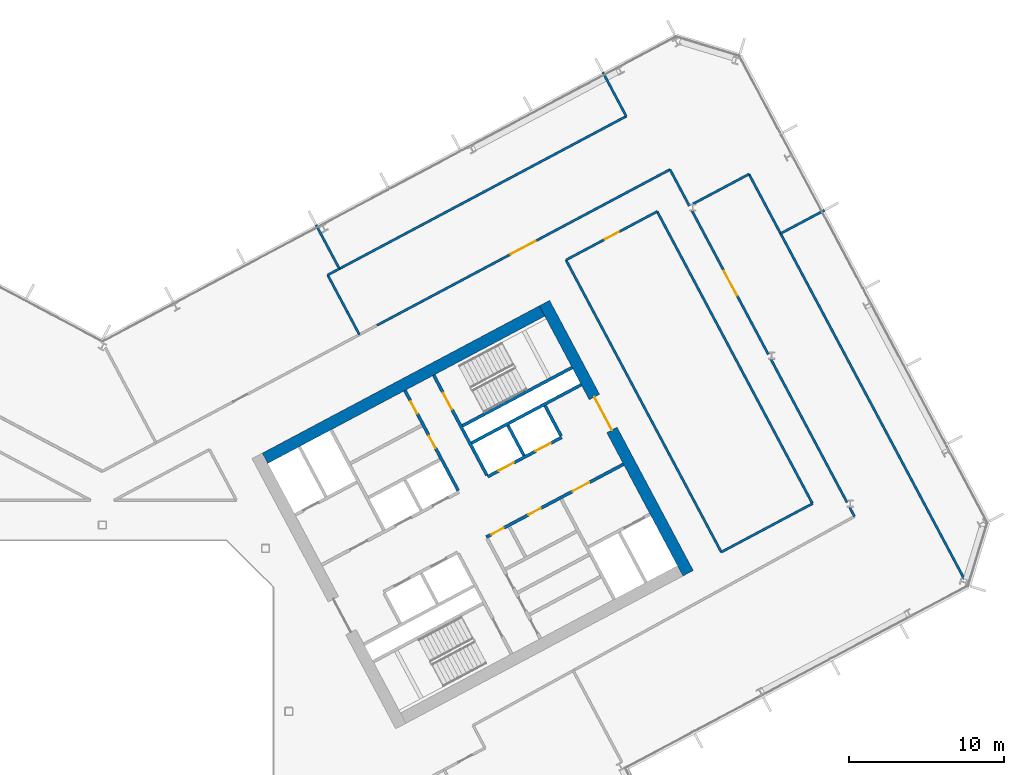
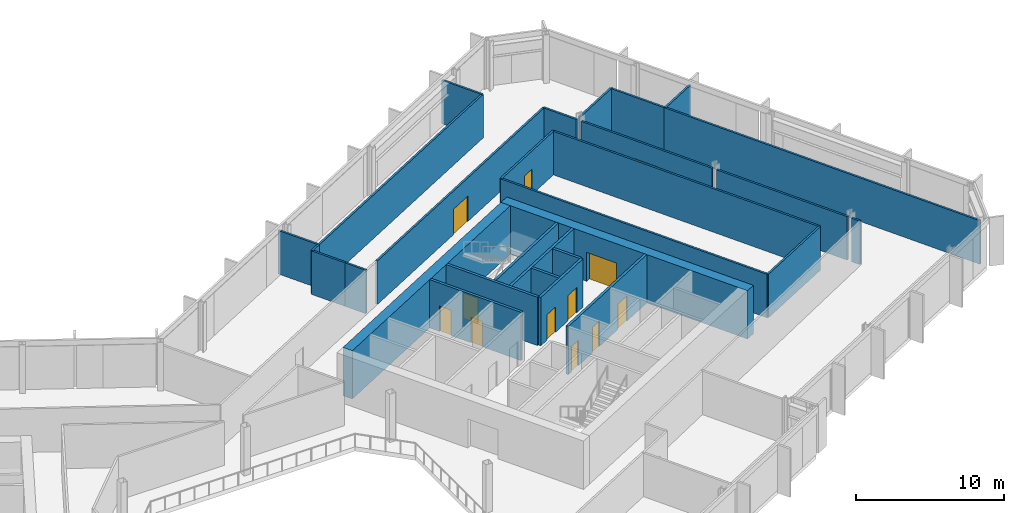
# One storey, part 17 of 28: 29 walls, 12 doors, 12 openings.
"""IFC4 building model written with IfcOpenShell, lengths in metres."""

from ifc_helpers import new_model, si_unit, direction, frame, frame_2d, origin, place, context, subcontext, project, spatial, rectangle, extrude, material, layer, layer_set, type_object, element, fill, save


model = new_model("IFC4")

# Units and contexts
model_context = context("Model", 3, precision=1e-05, world=origin(), true_north=direction((0.0, 1.0)))
body_context = subcontext(model_context, "Body", "Model", "MODEL_VIEW")
ifc_project = project(units=[si_unit("LENGTHUNIT", "METRE"), si_unit("AREAUNIT", "SQUARE_METRE"), si_unit("VOLUMEUNIT", "CUBIC_METRE"), si_unit("PLANEANGLEUNIT", "RADIAN"), si_unit("MASSUNIT", "GRAM", prefix="KILO")], contexts=[model_context])

# Site, building, storey
site_placement = place(None, origin())
site = spatial("IfcSite", under=ifc_project, at=site_placement, CompositionType="ELEMENT")
building_placement = place(site_placement, origin())
building = spatial("IfcBuilding", under=site, at=building_placement, Name="Cormorant Relay Tower", CompositionType="ELEMENT")
storey_placement = place(building_placement, frame((0.0, 0.0, 174.199951171875)))
storey = spatial("IfcBuildingStorey", under=building, at=storey_placement, Name="L37", CompositionType="ELEMENT", Elevation=174.199951171875)

# Wall
ifc_material_1 = material(Name="Concrete 40 MPa", Category="concrete")
ifc_layer_1 = layer(ifc_material_1, 0.199951171875)
ifc_layer_set_1 = layer_set([ifc_layer_1], Name="Core internal wall 200")
wall_type_1 = type_object("IfcWallType", Name="Core internal wall 200", PredefinedType="SOLIDWALL", material=ifc_layer_set_1)
wall_1_placement = place(storey_placement, frame((27.144287109375, 16.471435546875, 0.0), z_axis=(0.0, 0.0, 1.0), x_axis=(-0.469401318492, 0.882984938828, 0.0)))
element("IfcWall", 1, at=wall_1_placement, inside=storey, type_object=wall_type_1, Name="L37 core B shaft and room wall", PredefinedType="SOLIDWALL", context=body_context, shape_type="SweptSolid", body=[
    extrude(rectangle(XDim=2.199951171875, YDim=0.199951171875, at=frame_2d((1.10009765625, 0.0))), origin(), (0.0, 0.0, 1.0), 4.0),
])

# Wall, openings, doors
ifc_material_2 = material(Name="Concrete 50 MPa", Category="concrete")
ifc_layer_2 = layer(ifc_material_2, 0.199951171875)
ifc_layer_set_2 = layer_set([ifc_layer_2], Name="Core shaft wall 200")
wall_type_2 = type_object("IfcWallType", Name="Core shaft wall 200", PredefinedType="SHEAR", material=ifc_layer_set_2)
wall_2_placement = place(storey_placement, frame((22.90625, 14.218017578125, 0.0), z_axis=(0.0, 0.0, 1.0), x_axis=(-0.469480409012, 0.88294288918, 0.0)))
wall_2 = element("IfcWall", 2, at=wall_2_placement, inside=storey, type_object=wall_type_2, Name="L37 core B shaft wall", PredefinedType="SHEAR", context=body_context, shape_type="SweptSolid", body=[
    extrude(rectangle(XDim=7.300048828125, YDim=0.199951171875, at=frame_2d((3.64990234375, 0.0))), origin(), (0.0, 0.0, 1.0), 4.0),
])
opening_1_placement = place(wall_2_placement, frame((3.10009765625, 0.0, 0.0)))
opening_1 = element("IfcOpeningElement", 3, at=opening_1_placement, cuts=wall_2, Name="Opening CDD-215", PredefinedType="OPENING", context=body_context, shape_type="SweptSolid", body=[
    extrude(rectangle(XDim=0.89990234375, YDim=2.10009765625, at=frame_2d((0.449951171875, 1.050048828125))), frame((0.0, 0.10986328125, 0.0), z_axis=(0.0, -1.0, 0.0), x_axis=(1.0, 0.0, 0.0)), (0.0, 0.0, 1.0), 0.219970703125),
])
opening_2_placement = place(wall_2_placement, frame((5.60009765625, 0.0, 0.0)))
opening_2 = element("IfcOpeningElement", 4, at=opening_2_placement, cuts=wall_2, Name="Opening CDD-216", PredefinedType="OPENING", context=body_context, shape_type="SweptSolid", body=[
    extrude(rectangle(XDim=0.89990234375, YDim=2.10009765625, at=frame_2d((0.449951171875, 1.050048828125))), frame((0.0, 0.10986328125, 0.0), z_axis=(0.0, -1.0, 0.0), x_axis=(1.0, 0.0, 0.0)), (0.0, 0.0, 1.0), 0.219970703125),
])
ifc_material_3 = material(Name="Steel fire door", Category="steel")
door_type_1 = type_object("IfcDoorType", Name="Core room door 900x2100", OperationType="SINGLE_SWING_LEFT", PredefinedType="DOOR", material=ifc_material_3)
door_1_placement = place(opening_1_placement, origin())
door_1 = element("IfcDoor", 5, at=door_1_placement, inside=storey, type_object=door_type_1, Name="Core room door 900x2100", OperationType="SINGLE_SWING_RIGHT", OverallHeight=2.10009765625, OverallWidth=0.89990234375, PredefinedType="DOOR", context=body_context, shape_type="SweptSolid", body=[
    extrude(rectangle(XDim=0.89990234375, YDim=2.10009765625, at=frame_2d((0.449951171875, 1.050048828125))), frame((0.0, 0.02490234375, 0.0), z_axis=(0.0, -1.0, 0.0), x_axis=(1.0, 0.0, 0.0)), (0.0, 0.0, 1.0), 0.050048828125),
])
fill(opening_1, door_1)
door_2_placement = place(opening_2_placement, origin())
door_2 = element("IfcDoor", 6, at=door_2_placement, inside=storey, type_object=door_type_1, Name="Core room door 900x2100", OperationType="SINGLE_SWING_LEFT", OverallHeight=2.10009765625, OverallWidth=0.89990234375, PredefinedType="DOOR", context=body_context, shape_type="SweptSolid", body=[
    extrude(rectangle(XDim=0.89990234375, YDim=2.10009765625, at=frame_2d((0.449951171875, 1.050048828125))), frame((0.0, 0.02490234375, 0.0), z_axis=(0.0, -1.0, 0.0), x_axis=(1.0, 0.0, 0.0)), (0.0, 0.0, 1.0), 0.050048828125),
])
fill(opening_2, door_2)

# Wall, opening, door
wall_3_placement = place(storey_placement, frame((24.760498046875, 15.2041015625, 0.0), z_axis=(0.0, 0.0, 1.0), x_axis=(-0.469494272526, 0.882935517501, 0.0)))
wall_3 = element("IfcWall", 7, at=wall_3_placement, inside=storey, type_object=wall_type_2, Name="L37 core B shaft wall", PredefinedType="SHEAR", context=body_context, shape_type="SweptSolid", body=[
    extrude(rectangle(XDim=7.2998046875, YDim=0.199951171875, at=frame_2d((3.64990234375, 0.0))), origin(), (0.0, 0.0, 1.0), 4.0),
])
opening_3_placement = place(wall_3_placement, frame((4.800048828125, 0.0, 0.0)))
opening_3 = element("IfcOpeningElement", 8, at=opening_3_placement, cuts=wall_3, Name="Opening CDB-037", PredefinedType="OPENING", context=body_context, shape_type="SweptSolid", body=[
    extrude(rectangle(XDim=1.199951171875, YDim=2.10009765625, at=frame_2d((0.60009765625, 1.050048828125))), frame((0.0, 0.10986328125, 0.0), z_axis=(0.0, -1.0, 0.0), x_axis=(1.0, 0.0, 0.0)), (0.0, 0.0, 1.0), 0.219970703125),
])
ifc_material_4 = material(Name="Steel fire door", Category="steel")
door_type_2 = type_object("IfcDoorType", Name="Core stair door 1200x2100", OperationType="SINGLE_SWING_LEFT", PredefinedType="DOOR", material=ifc_material_4)
door_3_placement = place(opening_3_placement, frame((1.199951171875, 0.0, 0.0), z_axis=(0.0, 0.0, 1.0), x_axis=(-1.0, 0.0, 0.0)))
door_3 = element("IfcDoor", 9, at=door_3_placement, inside=storey, type_object=door_type_2, Name="Core stair door 1200x2100", OperationType="SINGLE_SWING_RIGHT", OverallHeight=2.10009765625, OverallWidth=1.199951171875, PredefinedType="DOOR", context=body_context, shape_type="SweptSolid", body=[
    extrude(rectangle(XDim=1.199951171875, YDim=2.10009765625, at=frame_2d((0.60009765625, 1.050048828125))), frame((0.0, 0.02490234375, 0.0), z_axis=(0.0, -1.0, 0.0), x_axis=(1.0, 0.0, 0.0)), (0.0, 0.0, 1.0), 0.050048828125),
])
fill(opening_3, door_3)

# Wall
wall_4_placement = place(storey_placement, frame((29.5283203125, 17.739013671875, 0.0), z_axis=(0.0, 0.0, 1.0), x_axis=(-0.469401318492, 0.882984938828, 0.0)))
element("IfcWall", 10, at=wall_4_placement, inside=storey, type_object=wall_type_2, Name="L37 core B shaft wall", PredefinedType="SHEAR", context=body_context, shape_type="SweptSolid", body=[
    extrude(rectangle(XDim=2.199951171875, YDim=0.199951171875, at=frame_2d((1.10009765625, 0.0))), origin(), (0.0, 0.0, 1.0), 4.0),
])

# Wall, openings, doors
wall_5_placement = place(storey_placement, frame((24.72607421875, 11.2216796875, 0.0), z_axis=(0.0, 0.0, 1.0), x_axis=(0.882940221191, 0.469485426614, 0.0)))
wall_5 = element("IfcWall", 11, at=wall_5_placement, inside=storey, type_object=wall_type_2, Name="L37 core B shaft wall", PredefinedType="SHEAR", context=body_context, shape_type="SweptSolid", body=[
    extrude(rectangle(XDim=10.0, YDim=0.199951171875, at=frame_2d((5.0, 0.0))), origin(), (0.0, 0.0, 1.0), 4.0),
])
opening_4_placement = place(wall_5_placement, frame((6.300048828125, 0.0, 0.0)))
opening_4 = element("IfcOpeningElement", 12, at=opening_4_placement, cuts=wall_5, Name="Opening CDC-030", PredefinedType="OPENING", context=body_context, shape_type="SweptSolid", body=[
    extrude(rectangle(XDim=1.199951171875, YDim=2.10009765625, at=frame_2d((0.60009765625, 1.050048828125))), frame((0.0, 0.10986328125, 0.0), z_axis=(0.0, -1.0, 0.0), x_axis=(1.0, 0.0, 0.0)), (0.0, 0.0, 1.0), 0.219970703125),
])
opening_5_placement = place(wall_5_placement, frame((0.360107421875, 0.0, 0.0)))
opening_5 = element("IfcOpeningElement", 13, at=opening_5_placement, cuts=wall_5, Name="Opening CDD-213", PredefinedType="OPENING", context=body_context, shape_type="SweptSolid", body=[
    extrude(rectangle(XDim=0.89990234375, YDim=2.10009765625, at=frame_2d((0.449951171875, 1.050048828125))), frame((0.0, 0.10986328125, 0.0), z_axis=(0.0, -1.0, 0.0), x_axis=(1.0, 0.0, 0.0)), (0.0, 0.0, 1.0), 0.219970703125),
])
opening_6_placement = place(wall_5_placement, frame((3.06005859375, 0.0, 0.0)))
opening_6 = element("IfcOpeningElement", 14, at=opening_6_placement, cuts=wall_5, Name="Opening CDD-214", PredefinedType="OPENING", context=body_context, shape_type="SweptSolid", body=[
    extrude(rectangle(XDim=0.89990234375, YDim=2.10009765625, at=frame_2d((0.449951171875, 1.050048828125))), frame((0.0, 0.10986328125, 0.0), z_axis=(0.0, -1.0, 0.0), x_axis=(1.0, 0.0, 0.0)), (0.0, 0.0, 1.0), 0.219970703125),
])
ifc_material_5 = material(Name="Steel fire door", Category="steel")
door_type_3 = type_object("IfcDoorType", Name="Core lobby door 1200x2100", OperationType="SINGLE_SWING_LEFT", PredefinedType="DOOR", material=ifc_material_5)
door_4_placement = place(opening_4_placement, origin())
door_4 = element("IfcDoor", 15, at=door_4_placement, inside=storey, type_object=door_type_3, Name="Core lobby door 1200x2100", OperationType="SINGLE_SWING_LEFT", OverallHeight=2.10009765625, OverallWidth=1.199951171875, PredefinedType="DOOR", context=body_context, shape_type="SweptSolid", body=[
    extrude(rectangle(XDim=1.199951171875, YDim=2.10009765625, at=frame_2d((0.60009765625, 1.050048828125))), frame((0.0, 0.02490234375, 0.0), z_axis=(0.0, -1.0, 0.0), x_axis=(1.0, 0.0, 0.0)), (0.0, 0.0, 1.0), 0.050048828125),
])
fill(opening_4, door_4)
door_5_placement = place(opening_5_placement, origin())
door_5 = element("IfcDoor", 16, at=door_5_placement, inside=storey, type_object=door_type_1, Name="Core room door 900x2100", OperationType="SINGLE_SWING_LEFT", OverallHeight=2.10009765625, OverallWidth=0.89990234375, PredefinedType="DOOR", context=body_context, shape_type="SweptSolid", body=[
    extrude(rectangle(XDim=0.89990234375, YDim=2.10009765625, at=frame_2d((0.449951171875, 1.050048828125))), frame((0.0, 0.02490234375, 0.0), z_axis=(0.0, -1.0, 0.0), x_axis=(1.0, 0.0, 0.0)), (0.0, 0.0, 1.0), 0.050048828125),
])
fill(opening_5, door_5)
door_6_placement = place(opening_6_placement, origin())
door_6 = element("IfcDoor", 17, at=door_6_placement, inside=storey, type_object=door_type_1, Name="Core room door 900x2100", OperationType="SINGLE_SWING_LEFT", OverallHeight=2.10009765625, OverallWidth=0.89990234375, PredefinedType="DOOR", context=body_context, shape_type="SweptSolid", body=[
    extrude(rectangle(XDim=0.89990234375, YDim=2.10009765625, at=frame_2d((0.449951171875, 1.050048828125))), frame((0.0, 0.02490234375, 0.0), z_axis=(0.0, -1.0, 0.0), x_axis=(1.0, 0.0, 0.0)), (0.0, 0.0, 1.0), 0.050048828125),
])
fill(opening_6, door_6)

wall_6_placement = place(storey_placement, frame((24.807373046875, 15.11572265625, 0.0), z_axis=(0.0, 0.0, 1.0), x_axis=(0.882942972946, 0.469480251476, 0.0)))
wall_6 = element("IfcWall", 18, at=wall_6_placement, inside=storey, type_object=wall_type_2, Name="L37 core B shaft wall", PredefinedType="SHEAR", context=body_context, shape_type="SweptSolid", body=[
    extrude(rectangle(XDim=5.39990234375, YDim=0.199951171875, at=frame_2d((2.699951171875, 0.0))), origin(), (0.0, 0.0, 1.0), 4.0),
])
opening_7_placement = place(wall_6_placement, frame((0.800048828125, 0.0, 0.0)))
opening_7 = element("IfcOpeningElement", 19, at=opening_7_placement, cuts=wall_6, Name="Opening LD1-046", PredefinedType="OPENING", context=body_context, shape_type="SweptSolid", body=[
    extrude(rectangle(XDim=1.10009765625, YDim=2.10009765625, at=frame_2d((0.550048828125, 1.050048828125))), frame((0.0, 0.10986328125, 0.0), z_axis=(0.0, -1.0, 0.0), x_axis=(1.0, 0.0, 0.0)), (0.0, 0.0, 1.0), 0.219970703125),
])
opening_8_placement = place(wall_6_placement, frame((3.5, 0.0, 0.0)))
opening_8 = element("IfcOpeningElement", 20, at=opening_8_placement, cuts=wall_6, Name="Opening LD1-047", PredefinedType="OPENING", context=body_context, shape_type="SweptSolid", body=[
    extrude(rectangle(XDim=1.10009765625, YDim=2.10009765625, at=frame_2d((0.550048828125, 1.050048828125))), frame((0.0, 0.10986328125, 0.0), z_axis=(0.0, -1.0, 0.0), x_axis=(1.0, 0.0, 0.0)), (0.0, 0.0, 1.0), 0.219970703125),
])
ifc_material_6 = material(Name="Stainless steel 316", Category="steel")
door_type_4 = type_object("IfcDoorType", Name="Lift landing door 1100x2100", OperationType="DOUBLE_DOOR_SLIDING", PredefinedType="DOOR", material=ifc_material_6)
door_7_placement = place(opening_7_placement, origin())
door_7 = element("IfcDoor", 21, at=door_7_placement, inside=storey, type_object=door_type_4, Name="LR3 landing door", OperationType="DOUBLE_DOOR_SLIDING", OverallHeight=2.10009765625, OverallWidth=1.10009765625, PredefinedType="DOOR", context=body_context, shape_type="SweptSolid", body=[
    extrude(rectangle(XDim=1.10009765625, YDim=2.10009765625, at=frame_2d((0.550048828125, 1.050048828125))), frame((0.0, 0.02490234375, 0.0), z_axis=(0.0, -1.0, 0.0), x_axis=(1.0, 0.0, 0.0)), (0.0, 0.0, 1.0), 0.050048828125),
])
fill(opening_7, door_7)
door_8_placement = place(opening_8_placement, origin())
door_8 = element("IfcDoor", 22, at=door_8_placement, inside=storey, type_object=door_type_4, Name="LR4 landing door", OperationType="DOUBLE_DOOR_SLIDING", OverallHeight=2.10009765625, OverallWidth=1.10009765625, PredefinedType="DOOR", context=body_context, shape_type="SweptSolid", body=[
    extrude(rectangle(XDim=1.10009765625, YDim=2.10009765625, at=frame_2d((0.550048828125, 1.050048828125))), frame((0.0, 0.02490234375, 0.0), z_axis=(0.0, -1.0, 0.0), x_axis=(1.0, 0.0, 0.0)), (0.0, 0.0, 1.0), 0.050048828125),
])
fill(opening_8, door_8)

# Walls
wall_7_placement = place(storey_placement, frame((23.76904296875, 17.28173828125, 0.0), z_axis=(0.0, 0.0, 1.0), x_axis=(0.882940221191, 0.469485426614, 0.0)))
element("IfcWall", 23, at=wall_7_placement, inside=storey, type_object=wall_type_2, Name="L37 core B shaft wall", PredefinedType="SHEAR", context=body_context, shape_type="SweptSolid", body=[
    extrude(rectangle(XDim=8.0, YDim=0.199951171875, at=frame_2d((4.0, 0.0))), origin(), (0.0, 0.0, 1.0), 4.0),
])
wall_8_placement = place(storey_placement, frame((23.18212890625, 18.385498046875, 0.0), z_axis=(0.0, 0.0, 1.0), x_axis=(0.88295287151, 0.469461634952, 0.0)))
element("IfcWall", 24, at=wall_8_placement, inside=storey, type_object=wall_type_2, Name="L37 core B shaft wall", PredefinedType="SHEAR", context=body_context, shape_type="SweptSolid", body=[
    extrude(rectangle(XDim=7.999755859375, YDim=0.199951171875, at=frame_2d((4.0, 0.0))), origin(), (0.0, 0.0, 1.0), 4.0),
])

# Wall, opening, door
ifc_material_7 = material(Name="Concrete 60 MPa", Category="concrete")
ifc_layer_3 = layer(ifc_material_7, 0.75)
ifc_layer_set_3 = layer_set([ifc_layer_3], Name="Core wall 750")
wall_type_3 = type_object("IfcWallType", Name="Core wall 750", PredefinedType="SHEAR", material=ifc_layer_set_3)
wall_9_placement = place(storey_placement, frame((37.712646484375, 8.896484375, 0.0), z_axis=(0.0, 0.0, 1.0), x_axis=(-0.469469918705, 0.88294846703, 0.0)))
wall_9 = element("IfcWall", 25, at=wall_9_placement, inside=storey, type_object=wall_type_3, Name="L37 core B wall", PredefinedType="SHEAR", context=body_context, shape_type="SweptSolid", body=[
    extrude(rectangle(XDim=19.699951171875, YDim=0.75, at=frame_2d((9.85009765625, 0.0))), origin(), (0.0, 0.0, 1.0), 4.0),
])
opening_9_placement = place(wall_9_placement, frame((10.449951171875, 0.0, 0.0)))
opening_9 = element("IfcOpeningElement", 26, at=opening_9_placement, cuts=wall_9, Name="Opening CDA-029", PredefinedType="OPENING", context=body_context, shape_type="SweptSolid", body=[
    extrude(rectangle(XDim=2.39990234375, YDim=2.39990234375, at=frame_2d((1.199951171875, 1.199951171875))), frame((0.0, 0.385009765625, 0.0), z_axis=(0.0, -1.0, 0.0), x_axis=(1.0, 0.0, 0.0)), (0.0, 0.0, 1.0), 0.77001953125),
])
ifc_material_8 = material(Name="Steel fire door", Category="steel")
door_type_5 = type_object("IfcDoorType", Name="Core lobby door 2400x2400", OperationType="DOUBLE_DOOR_SINGLE_SWING", PredefinedType="DOOR", material=ifc_material_8)
door_9_placement = place(opening_9_placement, origin())
door_9 = element("IfcDoor", 27, at=door_9_placement, inside=storey, type_object=door_type_5, Name="Core lobby door 2400x2400", OperationType="DOUBLE_DOOR_SINGLE_SWING", OverallHeight=2.39990234375, OverallWidth=2.39990234375, PredefinedType="DOOR", context=body_context, shape_type="SweptSolid", body=[
    extrude(rectangle(XDim=2.39990234375, YDim=2.39990234375, at=frame_2d((1.199951171875, 1.199951171875))), frame((0.0, 0.02490234375, 0.0), z_axis=(0.0, -1.0, 0.0), x_axis=(1.0, 0.0, 0.0)), (0.0, 0.0, 1.0), 0.050048828125),
])
fill(opening_9, door_9)

# Walls
wall_10_placement = place(storey_placement, frame((10.4736328125, 16.300048828125, 0.0), z_axis=(0.0, 0.0, 1.0), x_axis=(0.88295010195, 0.469466843842, 0.0)))
element("IfcWall", 28, at=wall_10_placement, inside=storey, type_object=wall_type_3, Name="L37 core B wall", PredefinedType="SHEAR", context=body_context, shape_type="SweptSolid", body=[
    extrude(rectangle(XDim=20.199951171875, YDim=0.75, at=frame_2d((10.10009765625, 0.0))), origin(), (0.0, 0.0, 1.0), 4.0),
])
ifc_material_9 = material(Name="Gypsum board fire partition")
ifc_layer_4 = layer(ifc_material_9, 0.14990234375)
ifc_layer_set_4 = layer_set([ifc_layer_4], Name="Corridor partition 150 EI 60")
wall_type_4 = type_object("IfcWallType", Name="Corridor partition 150 EI 60", PredefinedType="PARTITIONING", material=ifc_layer_set_4)
wall_11_placement = place(storey_placement, frame((37.7890625, 32.555908203125, 0.0), z_axis=(0.0, 0.0, 1.0), x_axis=(-0.469764435481, 0.882791807369, 0.0)))
element("IfcWall", 29, at=wall_11_placement, inside=storey, type_object=wall_type_4, Name="wall/L37/part/062", PredefinedType="PARTITIONING", context=body_context, shape_type="SweptSolid", body=[
    extrude(rectangle(XDim=2.646240234375, YDim=0.14990234375, at=frame_2d((1.3232421875, 0.0))), origin(), (0.0, 0.0, 1.0), 3.60009765625),
])

# Wall, opening, door
wall_12_placement = place(storey_placement, frame((17.677001953125, 24.85888671875, 0.0), z_axis=(0.0, 0.0, 1.0), x_axis=(0.882951785412, 0.469463677655, 0.0)))
wall_12 = element("IfcWall", 30, at=wall_12_placement, inside=storey, type_object=wall_type_4, Name="wall/L37/part/063", PredefinedType="PARTITIONING", context=body_context, shape_type="SweptSolid", body=[
    extrude(rectangle(XDim=21.37158203125, YDim=0.14990234375, at=frame_2d((10.685791015625, 0.0))), origin(), (0.0, 0.0, 1.0), 3.60009765625),
])
opening_10_placement = place(wall_12_placement, frame((9.75, 0.0, 0.0)))
opening_10 = element("IfcOpeningElement", 31, at=opening_10_placement, cuts=wall_12, Name="Opening DD-019", PredefinedType="OPENING", context=body_context, shape_type="SweptSolid", body=[
    extrude(rectangle(XDim=1.800048828125, YDim=2.10009765625, at=frame_2d((0.89990234375, 1.050048828125))), frame((0.0, 0.0849609375, 0.0), z_axis=(0.0, -1.0, 0.0), x_axis=(1.0, 0.0, 0.0)), (0.0, 0.0, 1.0), 0.169921875),
])
ifc_material_10 = material(Name="Timber door leaf", Category="wood")
door_type_6 = type_object("IfcDoorType", Name="Suite double door 1800x2100", OperationType="DOUBLE_DOOR_SINGLE_SWING", PredefinedType="DOOR", material=ifc_material_10)
door_10_placement = place(opening_10_placement, origin())
door_10 = element("IfcDoor", 32, at=door_10_placement, inside=storey, type_object=door_type_6, Name="door/L37/006", OperationType="DOUBLE_DOOR_SINGLE_SWING", OverallHeight=2.10009765625, OverallWidth=1.800048828125, PredefinedType="DOOR", context=body_context, shape_type="SweptSolid", body=[
    extrude(rectangle(XDim=1.800048828125, YDim=2.10009765625, at=frame_2d((0.89990234375, 1.050048828125))), frame((0.0, 0.02490234375, 0.0), z_axis=(0.0, -1.0, 0.0), x_axis=(1.0, 0.0, 0.0)), (0.0, 0.0, 1.0), 0.050048828125),
])
fill(opening_10, door_10)

wall_13_placement = place(storey_placement, frame((37.97412109375, 32.208984375, 0.0), z_axis=(0.0, 0.0, 1.0), x_axis=(0.469434985691, -0.882967040274, 0.0)))
wall_13 = element("IfcWall", 33, at=wall_13_placement, inside=storey, type_object=wall_type_4, Name="wall/L37/part/068", PredefinedType="PARTITIONING", context=body_context, shape_type="SweptSolid", body=[
    extrude(rectangle(XDim=10.442138671875, YDim=0.14990234375, at=frame_2d((5.22119140625, 0.0))), origin(), (0.0, 0.0, 1.0), 3.60009765625),
])
opening_11_placement = place(wall_13_placement, frame((4.35107421875, 0.0, 0.0)))
opening_11 = element("IfcOpeningElement", 34, at=opening_11_placement, cuts=wall_13, Name="Opening DD-018", PredefinedType="OPENING", context=body_context, shape_type="SweptSolid", body=[
    extrude(rectangle(XDim=1.800048828125, YDim=2.10009765625, at=frame_2d((0.89990234375, 1.050048828125))), frame((0.0, 0.0849609375, 0.0), z_axis=(0.0, -1.0, 0.0), x_axis=(1.0, 0.0, 0.0)), (0.0, 0.0, 1.0), 0.169921875),
])
door_11_placement = place(opening_11_placement, origin())
door_11 = element("IfcDoor", 35, at=door_11_placement, inside=storey, type_object=door_type_6, Name="door/L37/005", OperationType="DOUBLE_DOOR_SINGLE_SWING", OverallHeight=2.10009765625, OverallWidth=1.800048828125, PredefinedType="DOOR", context=body_context, shape_type="SweptSolid", body=[
    extrude(rectangle(XDim=1.800048828125, YDim=2.10009765625, at=frame_2d((0.89990234375, 1.050048828125))), frame((0.0, 0.02490234375, 0.0), z_axis=(0.0, -1.0, 0.0), x_axis=(1.0, 0.0, 0.0)), (0.0, 0.0, 1.0), 0.050048828125),
])
fill(opening_11, door_11)

# Walls
wall_14_placement = place(storey_placement, frame((43.0439453125, 22.672119140625, 0.0), z_axis=(0.0, 0.0, 1.0), x_axis=(0.469530755038, -0.882916117235, 0.0)))
element("IfcWall", 36, at=wall_14_placement, inside=storey, type_object=wall_type_4, Name="wall/L37/part/069", PredefinedType="PARTITIONING", context=body_context, shape_type="SweptSolid", body=[
    extrude(rectangle(XDim=10.4404296875, YDim=0.14990234375, at=frame_2d((5.22021484375, 0.0))), origin(), (0.0, 0.0, 1.0), 3.60009765625),
])
wall_15_placement = place(storey_placement, frame((48.114990234375, 13.135986328125, 0.0), z_axis=(0.0, 0.0, 1.0), x_axis=(0.469551655302, -0.882905002253, 0.0)))
element("IfcWall", 37, at=wall_15_placement, inside=storey, type_object=wall_type_4, Name="wall/L37/part/070", PredefinedType="PARTITIONING", context=body_context, shape_type="SweptSolid", body=[
    extrude(rectangle(XDim=0.660400390625, YDim=0.14990234375, at=frame_2d((0.330078125, 0.0))), origin(), (0.0, 0.0, 1.0), 3.60009765625),
])

# Wall, opening, door
wall_16_placement = place(storey_placement, frame((29.84912109375, 29.06494140625, 0.0), z_axis=(0.0, 0.0, 1.0), x_axis=(0.882917406039, 0.469528331535, 0.0)))
wall_16 = element("IfcWall", 38, at=wall_16_placement, inside=storey, type_object=wall_type_4, Name="wall/L37/part/085", PredefinedType="PARTITIONING", context=body_context, shape_type="SweptSolid", body=[
    extrude(rectangle(XDim=6.6494140625, YDim=0.14990234375, at=frame_2d((3.32470703125, 0.0))), origin(), (0.0, 0.0, 1.0), 3.60009765625),
])
opening_12_placement = place(wall_16_placement, frame((2.85009765625, 0.0, 0.0)))
opening_12 = element("IfcOpeningElement", 39, at=opening_12_placement, cuts=wall_16, Name="Opening DS-088", PredefinedType="OPENING", context=body_context, shape_type="SweptSolid", body=[
    extrude(rectangle(XDim=1.0, YDim=2.10009765625, at=frame_2d((0.5, 1.050048828125))), frame((0.0, 0.0849609375, 0.0), z_axis=(0.0, -1.0, 0.0), x_axis=(1.0, 0.0, 0.0)), (0.0, 0.0, 1.0), 0.169921875),
])
ifc_material_11 = material(Name="Timber door leaf", Category="wood")
door_type_7 = type_object("IfcDoorType", Name="Suite door 1000x2100", OperationType="SINGLE_SWING_LEFT", PredefinedType="DOOR", material=ifc_material_11)
door_12_placement = place(opening_12_placement, origin())
door_12 = element("IfcDoor", 40, at=door_12_placement, inside=storey, type_object=door_type_7, Name="door/L37/020", OperationType="SINGLE_SWING_LEFT", OverallHeight=2.10009765625, OverallWidth=1.0, PredefinedType="DOOR", context=body_context, shape_type="SweptSolid", body=[
    extrude(rectangle(XDim=1.0, YDim=2.10009765625, at=frame_2d((0.5, 1.050048828125))), frame((0.0, 0.02490234375, 0.0), z_axis=(0.0, -1.0, 0.0), x_axis=(1.0, 0.0, 0.0)), (0.0, 0.0, 1.0), 0.050048828125),
])
fill(opening_12, door_12)

# Walls
wall_17_placement = place(storey_placement, frame((35.719970703125, 32.18701171875, 0.0), z_axis=(0.0, 0.0, 1.0), x_axis=(0.469474204504, -0.882946188227, 0.0)))
element("IfcWall", 41, at=wall_17_placement, inside=storey, type_object=wall_type_4, Name="wall/L37/part/086", PredefinedType="PARTITIONING", context=body_context, shape_type="SweptSolid", body=[
    extrude(rectangle(XDim=21.300537109375, YDim=0.14990234375, at=frame_2d((10.650390625, 0.0))), origin(), (0.0, 0.0, 1.0), 3.60009765625),
])
wall_18_placement = place(storey_placement, frame((45.719970703125, 13.3798828125, 0.0), z_axis=(0.0, 0.0, 1.0), x_axis=(-0.882973084513, -0.469423616817, 0.0)))
element("IfcWall", 42, at=wall_18_placement, inside=storey, type_object=wall_type_4, Name="wall/L37/part/087", PredefinedType="PARTITIONING", context=body_context, shape_type="SweptSolid", body=[
    extrude(rectangle(XDim=6.650390625, YDim=0.14990234375, at=frame_2d((3.3251953125, 0.0))), origin(), (0.0, 0.0, 1.0), 3.60009765625),
])
wall_19_placement = place(storey_placement, frame((39.847900390625, 10.258056640625, 0.0), z_axis=(0.0, 0.0, 1.0), x_axis=(-0.469434276041, 0.882967417563, 0.0)))
element("IfcWall", 43, at=wall_19_placement, inside=storey, type_object=wall_type_4, Name="wall/L37/part/088", PredefinedType="PARTITIONING", context=body_context, shape_type="SweptSolid", body=[
    extrude(rectangle(XDim=21.299560546875, YDim=0.14990234375, at=frame_2d((10.64990234375, 0.0))), origin(), (0.0, 0.0, 1.0), 3.60009765625),
])
ifc_material_12 = material(Name="Gypsum board partition")
ifc_layer_5 = layer(ifc_material_12, 0.14990234375)
ifc_layer_set_5 = layer_set([ifc_layer_5], Name="Tenant partition 150")
wall_type_5 = type_object("IfcWallType", Name="Tenant partition 150", PredefinedType="PARTITIONING", material=ifc_layer_set_5)
wall_20_placement = place(storey_placement, frame((15.760986328125, 25.739013671875, 0.0), z_axis=(0.0, 0.0, 1.0), x_axis=(0.469318416257, -0.883029005278, 0.0)))
element("IfcWall", 44, at=wall_20_placement, inside=storey, type_object=wall_type_5, Name="wall/L37/part/049", PredefinedType="PARTITIONING", context=body_context, shape_type="SweptSolid", body=[
    extrude(rectangle(XDim=1.67724609375, YDim=0.14990234375, at=frame_2d((0.838623046875, 0.0))), origin(), (0.0, 0.0, 1.0), 3.60009765625),
])
wall_21_placement = place(storey_placement, frame((13.757080078125, 31.324951171875, 0.0), z_axis=(0.0, 0.0, 1.0), x_axis=(0.469685095616, -0.882834022315, 0.0)))
element("IfcWall", 45, at=wall_21_placement, inside=storey, type_object=wall_type_5, Name="wall/L37/part/057", PredefinedType="PARTITIONING", context=body_context, shape_type="SweptSolid", body=[
    extrude(rectangle(XDim=3.199951171875, YDim=0.14990234375, at=frame_2d((1.60009765625, 0.0))), origin(), (0.0, 0.0, 1.0), 3.60009765625),
])
wall_22_placement = place(storey_placement, frame((15.258056640625, 28.4990234375, 0.0), z_axis=(0.0, 0.0, 1.0), x_axis=(0.882939918194, 0.469485996447, 0.0)))
element("IfcWall", 46, at=wall_22_placement, inside=storey, type_object=wall_type_5, Name="wall/L37/part/058", PredefinedType="PARTITIONING", context=body_context, shape_type="SweptSolid", body=[
    extrude(rectangle(XDim=20.918701171875, YDim=0.14990234375, at=frame_2d((10.45947265625, 0.0))), origin(), (0.0, 0.0, 1.0), 3.60009765625),
])
wall_23_placement = place(storey_placement, frame((33.72802734375, 38.320068359375, 0.0), z_axis=(0.0, 0.0, 1.0), x_axis=(-0.469320691295, 0.883027796121, 0.0)))
element("IfcWall", 47, at=wall_23_placement, inside=storey, type_object=wall_type_5, Name="wall/L37/part/059", PredefinedType="PARTITIONING", context=body_context, shape_type="SweptSolid", body=[
    extrude(rectangle(XDim=3.2001953125, YDim=0.14990234375, at=frame_2d((1.60009765625, 0.0))), origin(), (0.0, 0.0, 1.0), 3.60009765625),
])
wall_24_placement = place(storey_placement, frame((15.760986328125, 25.739013671875, 0.0), z_axis=(0.0, 0.0, 1.0), x_axis=(-0.469469065188, 0.882948920851, 0.0)))
element("IfcWall", 48, at=wall_24_placement, inside=storey, type_object=wall_type_5, Name="wall/L37/part/060", PredefinedType="PARTITIONING", context=body_context, shape_type="SweptSolid", body=[
    extrude(rectangle(XDim=2.673095703125, YDim=0.14990234375, at=frame_2d((1.33642578125, 0.0))), origin(), (0.0, 0.0, 1.0), 3.60009765625),
])
wall_25_placement = place(storey_placement, frame((14.506103515625, 28.09912109375, 0.0), z_axis=(0.0, 0.0, 1.0), x_axis=(0.882907789101, 0.469546415113, 0.0)))
element("IfcWall", 49, at=wall_25_placement, inside=storey, type_object=wall_type_5, Name="wall/L37/part/061", PredefinedType="PARTITIONING", context=body_context, shape_type="SweptSolid", body=[
    extrude(rectangle(XDim=0.8515625, YDim=0.14990234375, at=frame_2d((0.42578125, 0.0))), origin(), (0.0, 0.0, 1.0), 3.60009765625),
])
wall_26_placement = place(storey_placement, frame((43.64111328125, 30.81689453125, 0.0), z_axis=(0.0, 0.0, 1.0), x_axis=(-0.469601615988, 0.882878430058, 0.0)))
element("IfcWall", 50, at=wall_26_placement, inside=storey, type_object=wall_type_5, Name="wall/L37/part/072", PredefinedType="PARTITIONING", context=body_context, shape_type="SweptSolid", body=[
    extrude(rectangle(XDim=4.278076171875, YDim=0.14990234375, at=frame_2d((2.13916015625, 0.0))), origin(), (0.0, 0.0, 1.0), 3.60009765625),
])
wall_27_placement = place(storey_placement, frame((41.632080078125, 34.593994140625, 0.0), z_axis=(0.0, 0.0, 1.0), x_axis=(-0.88295491585, -0.469457789984, 0.0)))
element("IfcWall", 51, at=wall_27_placement, inside=storey, type_object=wall_type_5, Name="wall/L37/part/073", PredefinedType="PARTITIONING", context=body_context, shape_type="SweptSolid", body=[
    extrude(rectangle(XDim=4.0703125, YDim=0.14990234375, at=frame_2d((2.03515625, 0.0))), origin(), (0.0, 0.0, 1.0), 3.60009765625),
])
wall_28_placement = place(storey_placement, frame((43.64111328125, 30.81689453125, 0.0), z_axis=(0.0, 0.0, 1.0), x_axis=(0.469460355779, -0.882953551639, 0.0)))
element("IfcWall", 52, at=wall_28_placement, inside=storey, type_object=wall_type_5, Name="wall/L37/part/074", PredefinedType="PARTITIONING", context=body_context, shape_type="SweptSolid", body=[
    extrude(rectangle(XDim=25.23095703125, YDim=0.14990234375, at=frame_2d((12.615478515625, 0.0))), origin(), (0.0, 0.0, 1.0), 3.60009765625),
])
wall_29_placement = place(storey_placement, frame((46.491943359375, 32.27001953125, 0.0), z_axis=(0.0, 0.0, 1.0), x_axis=(-0.883027796121, -0.469320691295, 0.0)))
element("IfcWall", 53, at=wall_29_placement, inside=storey, type_object=wall_type_5, Name="wall/L37/part/075", PredefinedType="PARTITIONING", context=body_context, shape_type="SweptSolid", body=[
    extrude(rectangle(XDim=3.2001953125, YDim=0.14990234375, at=frame_2d((1.60009765625, 0.0))), origin(), (0.0, 0.0, 1.0), 3.60009765625),
])

save(model, "model.ifc")
